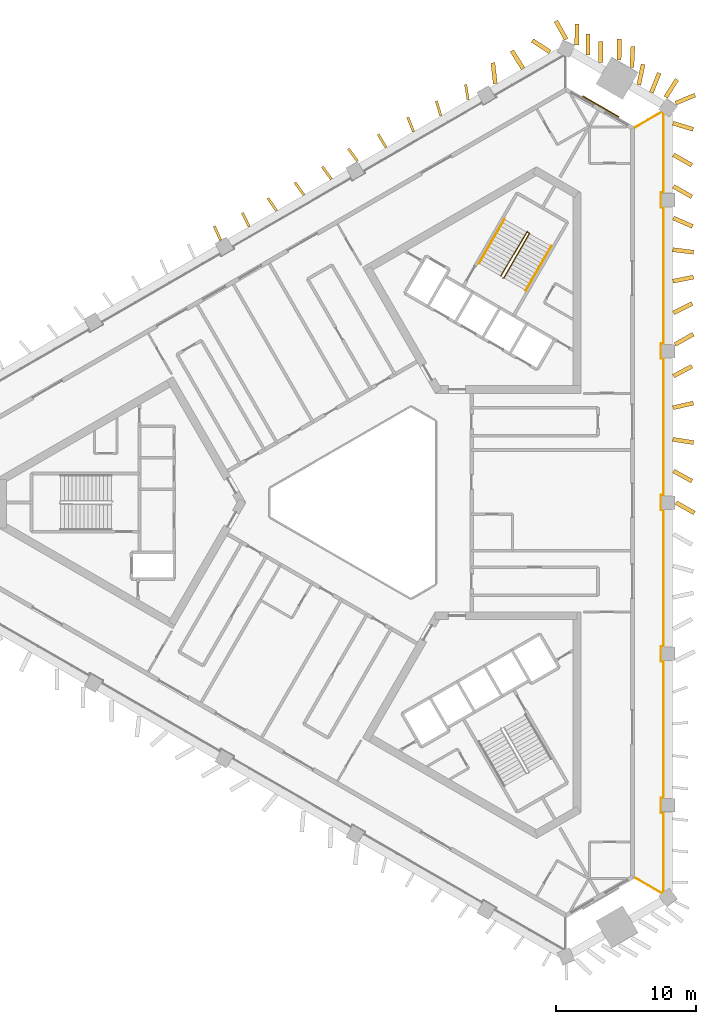
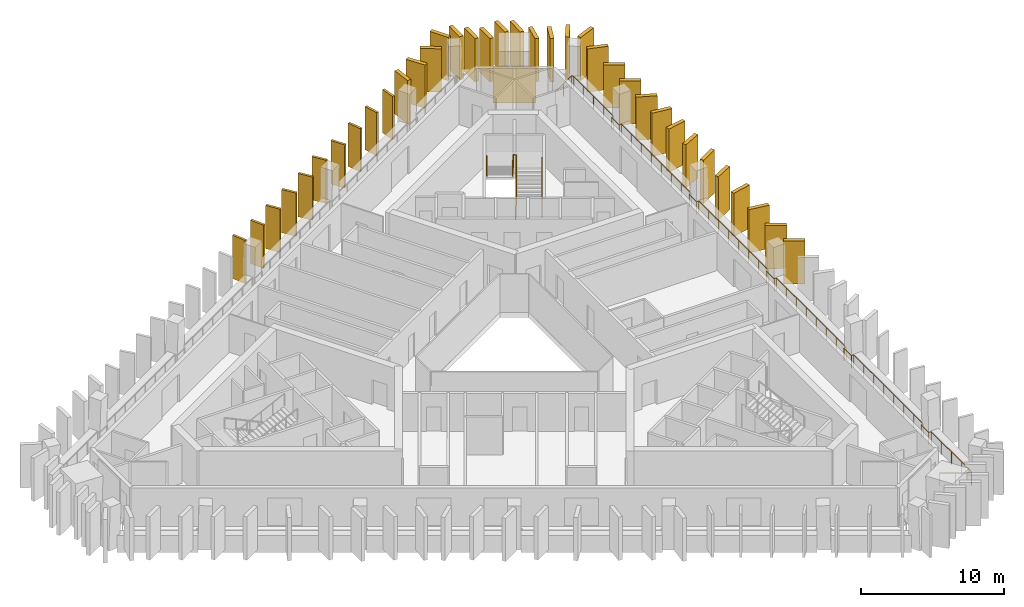
# One storey, part 10 of 10: 36 shading devices, 4 railings, 1 covering.
"""IFC4 building model written with IfcOpenShell, lengths in metres."""

from ifc_helpers import new_model, si_unit, direction, frame, frame_2d, origin, origin_2d, place, context, subcontext, project, spatial, rectangle, circle, extrude, material, layer, layer_set, type_object, element, save


model = new_model("IFC4")

# Units and contexts
model_context = context("Model", 3, precision=1e-05, world=origin(), true_north=direction((0.0, 1.0)))
body_context = subcontext(model_context, "Body", "Model", "MODEL_VIEW")
ifc_project = project(units=[si_unit("LENGTHUNIT", "METRE"), si_unit("AREAUNIT", "SQUARE_METRE"), si_unit("VOLUMEUNIT", "CUBIC_METRE"), si_unit("PLANEANGLEUNIT", "RADIAN"), si_unit("MASSUNIT", "GRAM", prefix="KILO")], contexts=[model_context])

# Site, building, storey
site_placement = place(None, origin())
site = spatial("IfcSite", under=ifc_project, at=site_placement, CompositionType="ELEMENT")
building_placement = place(site_placement, origin())
building = spatial("IfcBuilding", under=site, at=building_placement, Name="Jabali Bay Hotel Tower and Convention Centre", CompositionType="ELEMENT")
storey_placement = place(building_placement, frame((0.0, 0.0, 174.800048828125)))
storey = spatial("IfcBuildingStorey", under=building, at=storey_placement, Name="L42", CompositionType="ELEMENT", Elevation=174.800048828125)

# Railing
ifc_material_1 = material(Name="Glass", Category="glass")
railing_type_1 = type_object("IfcRailingType", Name="Loggia glass guard 1100", PredefinedType="BALUSTRADE", material=ifc_material_1)
railing_1_placement = place(storey_placement, frame((93.776611328125, 106.767822265625, 0.0)))
element("IfcRailing", 1, at=railing_1_placement, inside=storey, type_object=railing_type_1, Name="Loggia glass guard L42", PredefinedType="BALUSTRADE", context=body_context, shape_type="SweptSolid", body=[
    extrude(circle(Radius=0.02490234375, at=origin_2d()), frame((0.0, 0.0, 1.0751953125), z_axis=(0.866035418383, 0.499982653806, 0.0), x_axis=(-0.495705232892, 0.858626365323, 0.13052619222)), (0.0, 0.0, 1.0), 2.19287109375),
    extrude(circle(Radius=0.02490234375, at=origin_2d()), frame((1.899169921875, 1.096435546875, 1.0751953125), z_axis=(0.799767562016, -0.600309792313, 0.0), x_axis=(0.595174058821, 0.792925439655, 0.13052619222)), (0.0, 0.0, 1.0), 0.1259765625),
    extrude(circle(Radius=0.02490234375, at=origin_2d()), frame((2.0, 1.020751953125, 1.0751953125), z_axis=(0.0, -1.0, 0.0), x_axis=(0.991444861374, 0.0, 0.13052619222)), (0.0, 0.0, 1.0), 5.671875),
    extrude(circle(Radius=0.02490234375, at=origin_2d()), frame((2.0, -4.651123046875, 1.0751953125), z_axis=(-1.0, 0.0, 0.0), x_axis=(0.0, -0.991444861374, 0.13052619222)), (0.0, 0.0, 1.0), 0.175048828125),
    extrude(circle(Radius=0.02490234375, at=origin_2d()), frame((1.824951171875, -4.651123046875, 1.0751953125), z_axis=(0.0, -1.0, 0.0), x_axis=(0.991444861374, 0.0, 0.13052619222)), (0.0, 0.0, 1.0), 1.050048828125),
    extrude(circle(Radius=0.02490234375, at=origin_2d()), frame((1.824951171875, -5.701171875, 1.0751953125), z_axis=(1.0, 0.0, 0.0), x_axis=(0.0, 0.991444861374, 0.13052619222)), (0.0, 0.0, 1.0), 0.175048828125),
    extrude(circle(Radius=0.02490234375, at=origin_2d()), frame((2.0, -5.701171875, 1.0751953125), z_axis=(0.0, -1.0, 0.0), x_axis=(0.991444861374, 0.0, 0.13052619222)), (0.0, 0.0, 1.0), 9.745849609375),
    extrude(circle(Radius=0.02490234375, at=origin_2d()), frame((2.0, -15.447021484375, 1.0751953125), z_axis=(-1.0, 0.0, 0.0), x_axis=(0.0, -0.991444861374, 0.13052619222)), (0.0, 0.0, 1.0), 0.175048828125),
    extrude(circle(Radius=0.02490234375, at=origin_2d()), frame((1.824951171875, -15.447021484375, 1.0751953125), z_axis=(0.0, -1.0, 0.0), x_axis=(0.991444861374, 0.0, 0.13052619222)), (0.0, 0.0, 1.0), 1.050048828125),
    extrude(circle(Radius=0.02490234375, at=origin_2d()), frame((1.824951171875, -16.4970703125, 1.0751953125), z_axis=(1.0, 0.0, 0.0), x_axis=(0.0, 0.991444861374, 0.13052619222)), (0.0, 0.0, 1.0), 0.175048828125),
    extrude(circle(Radius=0.02490234375, at=origin_2d()), frame((2.0, -16.4970703125, 1.0751953125), z_axis=(0.0, -1.0, 0.0), x_axis=(0.991444861374, 0.0, 0.13052619222)), (0.0, 0.0, 1.0), 9.745849609375),
    extrude(circle(Radius=0.02490234375, at=origin_2d()), frame((2.0, -26.242919921875, 1.0751953125), z_axis=(-1.0, 0.0, 0.0), x_axis=(0.0, -0.991444861374, 0.13052619222)), (0.0, 0.0, 1.0), 0.175048828125),
    extrude(circle(Radius=0.02490234375, at=origin_2d()), frame((1.824951171875, -26.242919921875, 1.0751953125), z_axis=(0.0, -1.0, 0.0), x_axis=(0.991444861374, 0.0, 0.13052619222)), (0.0, 0.0, 1.0), 1.0498046875),
    extrude(circle(Radius=0.02490234375, at=origin_2d()), frame((1.824951171875, -27.292724609375, 1.0751953125), z_axis=(1.0, 0.0, 0.0), x_axis=(0.0, 0.991444861374, 0.13052619222)), (0.0, 0.0, 1.0), 0.175048828125),
    extrude(circle(Radius=0.02490234375, at=origin_2d()), frame((2.0, -27.292724609375, 1.0751953125), z_axis=(0.0, -1.0, 0.0), x_axis=(0.991444861374, 0.0, 0.13052619222)), (0.0, 0.0, 1.0), 9.745849609375),
    extrude(circle(Radius=0.02490234375, at=origin_2d()), frame((2.0, -37.03857421875, 1.0751953125), z_axis=(-1.0, 0.0, 0.0), x_axis=(0.0, -0.991444861374, 0.13052619222)), (0.0, 0.0, 1.0), 0.175048828125),
    extrude(circle(Radius=0.02490234375, at=origin_2d()), frame((1.824951171875, -37.03857421875, 1.0751953125), z_axis=(0.0, -1.0, 0.0), x_axis=(0.991444861374, 0.0, 0.13052619222)), (0.0, 0.0, 1.0), 1.050048828125),
    extrude(circle(Radius=0.02490234375, at=origin_2d()), frame((1.824951171875, -38.088623046875, 1.0751953125), z_axis=(1.0, 0.0, 0.0), x_axis=(0.0, 0.991444861374, 0.13052619222)), (0.0, 0.0, 1.0), 0.175048828125),
    extrude(circle(Radius=0.02490234375, at=origin_2d()), frame((2.0, -38.088623046875, 1.0751953125), z_axis=(0.0, -1.0, 0.0), x_axis=(0.991444861374, 0.0, 0.13052619222)), (0.0, 0.0, 1.0), 9.745849609375),
    extrude(circle(Radius=0.02490234375, at=origin_2d()), frame((2.0, -47.83447265625, 1.0751953125), z_axis=(-1.0, 0.0, 0.0), x_axis=(0.0, -0.991444861374, 0.13052619222)), (0.0, 0.0, 1.0), 0.175048828125),
    extrude(circle(Radius=0.02490234375, at=origin_2d()), frame((1.824951171875, -47.83447265625, 1.0751953125), z_axis=(0.0, -1.0, 0.0), x_axis=(0.991444861374, 0.0, 0.13052619222)), (0.0, 0.0, 1.0), 1.050048828125),
    extrude(circle(Radius=0.02490234375, at=origin_2d()), frame((1.824951171875, -48.884521484375, 1.0751953125), z_axis=(1.0, 0.0, 0.0), x_axis=(0.0, 0.991444861374, 0.13052619222)), (0.0, 0.0, 1.0), 0.175048828125),
    extrude(circle(Radius=0.02490234375, at=origin_2d()), frame((2.0, -48.884521484375, 1.0751953125), z_axis=(0.0, -1.0, 0.0), x_axis=(0.991444861374, 0.0, 0.13052619222)), (0.0, 0.0, 1.0), 5.671875),
    extrude(circle(Radius=0.02490234375, at=origin_2d()), frame((2.0, -54.556396484375, 1.0751953125), z_axis=(-0.799767562016, -0.600309792313, 0.0), x_axis=(0.595174058821, -0.792925439655, 0.13052619222)), (0.0, 0.0, 1.0), 0.1259765625),
    extrude(circle(Radius=0.02490234375, at=origin_2d()), frame((1.899169921875, -54.632080078125, 1.0751953125), z_axis=(-0.866035418383, 0.499982653806, 0.0), x_axis=(-0.495705232892, -0.858626365323, 0.13052619222)), (0.0, 0.0, 1.0), 2.19287109375),
    extrude(circle(Radius=0.02001953125, at=origin_2d()), origin(), (0.0, 0.0, 1.0), 1.050048828125),
    extrude(circle(Radius=0.02001953125, at=origin_2d()), frame((0.94970703125, 0.54833984375, 0.0)), (0.0, 0.0, 1.0), 1.050048828125),
    extrude(circle(Radius=0.02001953125, at=origin_2d()), frame((1.899169921875, 1.096435546875, 0.0)), (0.0, 0.0, 1.0), 1.050048828125),
    extrude(circle(Radius=0.02001953125, at=origin_2d()), frame((2.0, 1.020751953125, 0.0)), (0.0, 0.0, 1.0), 1.050048828125),
    extrude(circle(Radius=0.02001953125, at=origin_2d()), frame((2.0, -0.397216796875, 0.0)), (0.0, 0.0, 1.0), 1.050048828125),
    extrude(circle(Radius=0.02001953125, at=origin_2d()), frame((2.0, -1.815185546875, 0.0)), (0.0, 0.0, 1.0), 1.050048828125),
    extrude(circle(Radius=0.02001953125, at=origin_2d()), frame((2.0, -3.233154296875, 0.0)), (0.0, 0.0, 1.0), 1.050048828125),
    extrude(circle(Radius=0.02001953125, at=origin_2d()), frame((2.0, -4.651123046875, 0.0)), (0.0, 0.0, 1.0), 1.050048828125),
    extrude(circle(Radius=0.02001953125, at=origin_2d()), frame((1.824951171875, -4.651123046875, 0.0)), (0.0, 0.0, 1.0), 1.050048828125),
    extrude(circle(Radius=0.02001953125, at=origin_2d()), frame((1.824951171875, -5.701171875, 0.0)), (0.0, 0.0, 1.0), 1.050048828125),
    extrude(circle(Radius=0.02001953125, at=origin_2d()), frame((2.0, -5.701171875, 0.0)), (0.0, 0.0, 1.0), 1.050048828125),
    extrude(circle(Radius=0.02001953125, at=origin_2d()), frame((2.0, -7.093505859375, 0.0)), (0.0, 0.0, 1.0), 1.050048828125),
    extrude(circle(Radius=0.02001953125, at=origin_2d()), frame((2.0, -8.485595703125, 0.0)), (0.0, 0.0, 1.0), 1.050048828125),
    extrude(circle(Radius=0.02001953125, at=origin_2d()), frame((2.0, -9.8779296875, 0.0)), (0.0, 0.0, 1.0), 1.050048828125),
    extrude(circle(Radius=0.02001953125, at=origin_2d()), frame((2.0, -11.270263671875, 0.0)), (0.0, 0.0, 1.0), 1.050048828125),
    extrude(circle(Radius=0.02001953125, at=origin_2d()), frame((2.0, -12.66259765625, 0.0)), (0.0, 0.0, 1.0), 1.050048828125),
    extrude(circle(Radius=0.02001953125, at=origin_2d()), frame((2.0, -14.0546875, 0.0)), (0.0, 0.0, 1.0), 1.050048828125),
    extrude(circle(Radius=0.02001953125, at=origin_2d()), frame((2.0, -15.447021484375, 0.0)), (0.0, 0.0, 1.0), 1.050048828125),
    extrude(circle(Radius=0.02001953125, at=origin_2d()), frame((1.824951171875, -15.447021484375, 0.0)), (0.0, 0.0, 1.0), 1.050048828125),
    extrude(circle(Radius=0.02001953125, at=origin_2d()), frame((1.824951171875, -16.4970703125, 0.0)), (0.0, 0.0, 1.0), 1.050048828125),
    extrude(circle(Radius=0.02001953125, at=origin_2d()), frame((2.0, -16.4970703125, 0.0)), (0.0, 0.0, 1.0), 1.050048828125),
    extrude(circle(Radius=0.02001953125, at=origin_2d()), frame((2.0, -17.889404296875, 0.0)), (0.0, 0.0, 1.0), 1.050048828125),
    extrude(circle(Radius=0.02001953125, at=origin_2d()), frame((2.0, -19.281494140625, 0.0)), (0.0, 0.0, 1.0), 1.050048828125),
    extrude(circle(Radius=0.02001953125, at=origin_2d()), frame((2.0, -20.673828125, 0.0)), (0.0, 0.0, 1.0), 1.050048828125),
    extrude(circle(Radius=0.02001953125, at=origin_2d()), frame((2.0, -22.066162109375, 0.0)), (0.0, 0.0, 1.0), 1.050048828125),
    extrude(circle(Radius=0.02001953125, at=origin_2d()), frame((2.0, -23.45849609375, 0.0)), (0.0, 0.0, 1.0), 1.050048828125),
    extrude(circle(Radius=0.02001953125, at=origin_2d()), frame((2.0, -24.8505859375, 0.0)), (0.0, 0.0, 1.0), 1.050048828125),
    extrude(circle(Radius=0.02001953125, at=origin_2d()), frame((2.0, -26.242919921875, 0.0)), (0.0, 0.0, 1.0), 1.050048828125),
    extrude(circle(Radius=0.02001953125, at=origin_2d()), frame((1.824951171875, -26.242919921875, 0.0)), (0.0, 0.0, 1.0), 1.050048828125),
    extrude(circle(Radius=0.02001953125, at=origin_2d()), frame((1.824951171875, -27.292724609375, 0.0)), (0.0, 0.0, 1.0), 1.050048828125),
    extrude(circle(Radius=0.02001953125, at=origin_2d()), frame((2.0, -27.292724609375, 0.0)), (0.0, 0.0, 1.0), 1.050048828125),
    extrude(circle(Radius=0.02001953125, at=origin_2d()), frame((2.0, -28.68505859375, 0.0)), (0.0, 0.0, 1.0), 1.050048828125),
    extrude(circle(Radius=0.02001953125, at=origin_2d()), frame((2.0, -30.0771484375, 0.0)), (0.0, 0.0, 1.0), 1.050048828125),
    extrude(circle(Radius=0.02001953125, at=origin_2d()), frame((2.0, -31.469482421875, 0.0)), (0.0, 0.0, 1.0), 1.050048828125),
    extrude(circle(Radius=0.02001953125, at=origin_2d()), frame((2.0, -32.86181640625, 0.0)), (0.0, 0.0, 1.0), 1.050048828125),
    extrude(circle(Radius=0.02001953125, at=origin_2d()), frame((2.0, -34.254150390625, 0.0)), (0.0, 0.0, 1.0), 1.050048828125),
    extrude(circle(Radius=0.02001953125, at=origin_2d()), frame((2.0, -35.646240234375, 0.0)), (0.0, 0.0, 1.0), 1.050048828125),
    extrude(circle(Radius=0.02001953125, at=origin_2d()), frame((2.0, -37.03857421875, 0.0)), (0.0, 0.0, 1.0), 1.050048828125),
    extrude(circle(Radius=0.02001953125, at=origin_2d()), frame((1.824951171875, -37.03857421875, 0.0)), (0.0, 0.0, 1.0), 1.050048828125),
    extrude(circle(Radius=0.02001953125, at=origin_2d()), frame((1.824951171875, -38.088623046875, 0.0)), (0.0, 0.0, 1.0), 1.050048828125),
    extrude(circle(Radius=0.02001953125, at=origin_2d()), frame((2.0, -38.088623046875, 0.0)), (0.0, 0.0, 1.0), 1.050048828125),
    extrude(circle(Radius=0.02001953125, at=origin_2d()), frame((2.0, -39.48095703125, 0.0)), (0.0, 0.0, 1.0), 1.050048828125),
    extrude(circle(Radius=0.02001953125, at=origin_2d()), frame((2.0, -40.873046875, 0.0)), (0.0, 0.0, 1.0), 1.050048828125),
    extrude(circle(Radius=0.02001953125, at=origin_2d()), frame((2.0, -42.265380859375, 0.0)), (0.0, 0.0, 1.0), 1.050048828125),
    extrude(circle(Radius=0.02001953125, at=origin_2d()), frame((2.0, -43.65771484375, 0.0)), (0.0, 0.0, 1.0), 1.050048828125),
    extrude(circle(Radius=0.02001953125, at=origin_2d()), frame((2.0, -45.050048828125, 0.0)), (0.0, 0.0, 1.0), 1.050048828125),
    extrude(circle(Radius=0.02001953125, at=origin_2d()), frame((2.0, -46.442138671875, 0.0)), (0.0, 0.0, 1.0), 1.050048828125),
    extrude(circle(Radius=0.02001953125, at=origin_2d()), frame((2.0, -47.83447265625, 0.0)), (0.0, 0.0, 1.0), 1.050048828125),
    extrude(circle(Radius=0.02001953125, at=origin_2d()), frame((1.824951171875, -47.83447265625, 0.0)), (0.0, 0.0, 1.0), 1.050048828125),
    extrude(circle(Radius=0.02001953125, at=origin_2d()), frame((1.824951171875, -48.884521484375, 0.0)), (0.0, 0.0, 1.0), 1.050048828125),
    extrude(circle(Radius=0.02001953125, at=origin_2d()), frame((2.0, -48.884521484375, 0.0)), (0.0, 0.0, 1.0), 1.050048828125),
    extrude(circle(Radius=0.02001953125, at=origin_2d()), frame((2.0, -50.302490234375, 0.0)), (0.0, 0.0, 1.0), 1.050048828125),
    extrude(circle(Radius=0.02001953125, at=origin_2d()), frame((2.0, -51.720458984375, 0.0)), (0.0, 0.0, 1.0), 1.050048828125),
    extrude(circle(Radius=0.02001953125, at=origin_2d()), frame((2.0, -53.138427734375, 0.0)), (0.0, 0.0, 1.0), 1.050048828125),
    extrude(circle(Radius=0.02001953125, at=origin_2d()), frame((2.0, -54.556396484375, 0.0)), (0.0, 0.0, 1.0), 1.050048828125),
    extrude(circle(Radius=0.02001953125, at=origin_2d()), frame((1.899169921875, -54.632080078125, 0.0)), (0.0, 0.0, 1.0), 1.050048828125),
    extrude(circle(Radius=0.02001953125, at=origin_2d()), frame((0.94970703125, -54.083984375, 0.0)), (0.0, 0.0, 1.0), 1.050048828125),
    extrude(circle(Radius=0.02001953125, at=origin_2d()), frame((0.0, -53.53564453125, 0.0)), (0.0, 0.0, 1.0), 1.050048828125),
])

# Shading devices
ifc_material_2 = material(Name="Precast concrete C60", Category="concrete")
ifc_layer_1 = layer(ifc_material_2, 0.179931640625)
ifc_layer_set_1 = layer_set([ifc_layer_1], Name="Precast concrete C60")
shading_device_type_1 = type_object("IfcShadingDeviceType", Name="Precast fin 3680 x 1100", PredefinedType="USERDEFINED", material=ifc_layer_set_1)
for number, where, z_axis, x_axis, name in (
    (2, (81.847412109375, 108.722900390625, 0.010009765625), (0.0, 0.0, 1.0), (-0.159358042506, 0.987220853856, 0.0), "Fin L42 036"),
    (3, (79.900634765625, 107.58544921875, 0.010009765625), (0.0, 0.0, 1.0), (-0.290075152421, 0.957003869349, 0.0), "Fin L42 037"),
    (4, (77.951904296875, 106.45166015625, 0.010009765625), (0.0, 0.0, 1.0), (-0.371275886157, 0.928522598733, 0.0), "Fin L42 038"),
    (5, (76.0048828125, 105.314697265625, 0.010009765625), (0.0, 0.0, 1.0), (-0.516224508474, 0.856453301033, 0.0), "Fin L42 039"),
    (6, (73.95703125, 104.352294921875, 0.010009765625), (0.0, 0.0, 1.0), (-0.591228956285, 0.806503763941, 0.0), "Fin L42 040"),
):
    element("IfcShadingDevice", number, at=place(storey_placement, frame(where, z_axis=z_axis, x_axis=x_axis)), inside=storey, type_object=shading_device_type_1, Name=name, ObjectType="FIN", PredefinedType="USERDEFINED", context=body_context, shape_type="SweptSolid", body=[
        extrude(rectangle(XDim=1.10009765625, YDim=0.179931640625, at=frame_2d((0.550048828125, 0.0))), origin(), (0.0, 0.0, 1.0), 3.679931640625),
    ])
shading_device_1_placement = place(storey_placement, frame((72.095947265625, 103.06689453125, 0.010009765625), z_axis=(0.0, 0.0, 1.0), x_axis=(-0.588646717653, 0.808390401845, 0.0)))
element("IfcShadingDevice", 7, at=shading_device_1_placement, inside=storey, type_object=shading_device_type_1, Name="Fin L42 041", ObjectType="FIN", PredefinedType="USERDEFINED", context=body_context, shape_type="SweptSolid", body=[
    extrude(rectangle(XDim=1.099853515625, YDim=0.179931640625, at=frame_2d((0.5498046875, 0.0))), origin(), (0.0, 0.0, 1.0), 3.679931640625),
])
shading_device_2_placement = place(storey_placement, frame((70.143310546875, 101.939453125, 0.010009765625), z_axis=(0.0, 0.0, 1.0), x_axis=(-0.587498449283, 0.809225291306, 0.0)))
element("IfcShadingDevice", 8, at=shading_device_2_placement, inside=storey, type_object=shading_device_type_1, Name="Fin L42 042", ObjectType="FIN", PredefinedType="USERDEFINED", context=body_context, shape_type="SweptSolid", body=[
    extrude(rectangle(XDim=1.10009765625, YDim=0.179931640625, at=frame_2d((0.550048828125, 0.0))), origin(), (0.0, 0.0, 1.0), 3.679931640625),
])
for number, where, z_axis, x_axis, name in (
    (9, (68.19189453125, 100.810302734375, 0.010009765625), (0.0, 0.0, 1.0), (-0.56733868641, 0.823484556566, 0.0), "Fin L42 043"),
    (10, (66.239990234375, 99.681884765625, 0.010009765625), (0.0, 0.0, 1.0), (-0.44285742437, 0.896592048638, 0.0), "Fin L42 044"),
    (11, (64.194580078125, 98.715576171875, 0.010009765625), (0.0, 0.0, 1.0), (-0.407538464917, 0.91318804176, 0.0), "Fin L42 045"),
):
    element("IfcShadingDevice", number, at=place(storey_placement, frame(where, z_axis=z_axis, x_axis=x_axis)), inside=storey, type_object=shading_device_type_1, Name=name, ObjectType="FIN", PredefinedType="USERDEFINED", context=body_context, shape_type="SweptSolid", body=[
        extrude(rectangle(XDim=1.099853515625, YDim=0.179931640625, at=frame_2d((0.5498046875, 0.0))), origin(), (0.0, 0.0, 1.0), 3.679931640625),
    ])
ifc_layer_2 = layer(ifc_material_2, 0.300048828125)
ifc_layer_set_2 = layer_set([ifc_layer_2], Name="Precast concrete C60")
shading_device_type_2 = type_object("IfcShadingDeviceType", Name="Precast fin 3680 x 1500", PredefinedType="USERDEFINED", material=ifc_layer_set_2)
for number, where, z_axis, x_axis, name in (
    (12, (96.675537109375, 80.0, 0.010009765625), (0.0, 0.0, 1.0), (0.869831289423, -0.493349296078, 0.0), "Fin L42 012"),
    (13, (96.49169921875, 82.254638671875, 0.010009765625), (0.0, 0.0, 1.0), (0.875031108661, -0.484066688459, 0.0), "Fin L42 013"),
    (14, (96.442138671875, 84.50927734375, 0.010009765625), (0.0, 0.0, 1.0), (0.98810108287, -0.153805884255, 0.0), "Fin L42 014"),
):
    element("IfcShadingDevice", number, at=place(storey_placement, frame(where, z_axis=z_axis, x_axis=x_axis)), inside=storey, type_object=shading_device_type_2, Name=name, ObjectType="FIN", PredefinedType="USERDEFINED", context=body_context, shape_type="SweptSolid", body=[
        extrude(rectangle(XDim=1.5, YDim=0.300048828125, at=frame_2d((0.75, 0.0))), origin(), (0.0, 0.0, 1.0), 3.679931640625),
    ])
shading_device_3_placement = place(storey_placement, frame((96.451904296875, 86.763671875, 0.010009765625), z_axis=(0.0, 0.0, 1.0), x_axis=(0.975640242716, 0.219376655076, 0.0)))
element("IfcShadingDevice", 15, at=shading_device_3_placement, inside=storey, type_object=shading_device_type_2, Name="Fin L42 015", ObjectType="FIN", PredefinedType="USERDEFINED", context=body_context, shape_type="SweptSolid", body=[
    extrude(rectangle(XDim=1.500244140625, YDim=0.300048828125, at=frame_2d((0.75, 0.0))), origin(), (0.0, 0.0, 1.0), 3.679931640625),
])
shading_device_4_placement = place(storey_placement, frame((96.48974609375, 89.018310546875, 0.010009765625), z_axis=(0.0, 0.0, 1.0), x_axis=(0.881956165036, 0.471331436417, 0.0)))
element("IfcShadingDevice", 16, at=shading_device_4_placement, inside=storey, type_object=shading_device_type_2, Name="Fin L42 016", ObjectType="FIN", PredefinedType="USERDEFINED", context=body_context, shape_type="SweptSolid", body=[
    extrude(rectangle(XDim=1.5, YDim=0.300048828125, at=frame_2d((0.75, 0.0))), origin(), (0.0, 0.0, 1.0), 3.679931640625),
])
shading_device_5_placement = place(storey_placement, frame((96.60009765625, 91.27294921875, 0.010009765625), z_axis=(0.0, 0.0, 1.0), x_axis=(0.869870897648, 0.49327945571, 0.0)))
element("IfcShadingDevice", 17, at=shading_device_5_placement, inside=storey, type_object=shading_device_type_2, Name="Fin L42 017", ObjectType="FIN", PredefinedType="USERDEFINED", context=body_context, shape_type="SweptSolid", body=[
    extrude(rectangle(XDim=1.500244140625, YDim=0.300048828125, at=frame_2d((0.75, 0.0))), origin(), (0.0, 0.0, 1.0), 3.679931640625),
])
for number, where, z_axis, x_axis, name in (
    (18, (96.486083984375, 93.527587890625, 0.010009765625), (0.0, 0.0, 1.0), (0.894719976318, 0.446627545028, 0.0), "Fin L42 018"),
    (19, (96.448974609375, 95.7822265625, 0.010009765625), (0.0, 0.0, 1.0), (0.979987815687, 0.199057481911, 0.0), "Fin L42 019"),
    (20, (96.437744140625, 98.036865234375, 0.010009765625), (0.0, 0.0, 1.0), (0.992177393959, -0.124835968039, 0.0), "Fin L42 020"),
    (21, (96.47900390625, 100.291259765625, 0.010009765625), (0.0, 0.0, 1.0), (0.916634808541, -0.399725690656, 0.0), "Fin L42 021"),
    (22, (96.4931640625, 102.5458984375, 0.010009765625), (0.0, 0.0, 1.0), (0.869831289423, -0.493349296078, 0.0), "Fin L42 022"),
    (23, (96.4931640625, 104.800537109375, 0.010009765625), (0.0, 0.0, 1.0), (0.869831289423, -0.493349296078, 0.0), "Fin L42 023"),
    (24, (96.463134765625, 107.05517578125, 0.010009765625), (0.0, 0.0, 1.0), (0.955676901579, -0.294417492329, 0.0), "Fin L42 024"),
    (25, (95.937744140625, 108.906494140625, 0.010009765625), (0.0, 0.0, 1.0), (0.535168243975, 0.844745494596, 0.0), "Fin L42 025"),
    (26, (94.914794921875, 109.2373046875, 0.010009765625), (0.0, 0.0, 1.0), (0.374839776672, 0.927089608304, 0.0), "Fin L42 026"),
):
    element("IfcShadingDevice", number, at=place(storey_placement, frame(where, z_axis=z_axis, x_axis=x_axis)), inside=storey, type_object=shading_device_type_2, Name=name, ObjectType="FIN", PredefinedType="USERDEFINED", context=body_context, shape_type="SweptSolid", body=[
        extrude(rectangle(XDim=1.5, YDim=0.300048828125, at=frame_2d((0.75, 0.0))), origin(), (0.0, 0.0, 1.0), 3.679931640625),
    ])
shading_device_6_placement = place(storey_placement, frame((94.017333984375, 109.78515625, 0.010009765625), z_axis=(0.0, 0.0, 1.0), x_axis=(0.206026884367, 0.978546331513, 0.0)))
element("IfcShadingDevice", 27, at=shading_device_6_placement, inside=storey, type_object=shading_device_type_2, Name="Fin L42 027", ObjectType="FIN", PredefinedType="USERDEFINED", context=body_context, shape_type="SweptSolid", body=[
    extrude(rectangle(XDim=1.500244140625, YDim=0.300048828125, at=frame_2d((0.75, 0.0))), origin(), (0.0, 0.0, 1.0), 3.679931640625),
])
shading_device_7_placement = place(storey_placement, frame((93.524169921875, 111.033447265625, 0.010009765625), z_axis=(0.0, 0.0, 1.0), x_axis=(0.049807724976, 0.998758825009, 0.0)))
element("IfcShadingDevice", 28, at=shading_device_7_placement, inside=storey, type_object=shading_device_type_2, Name="Fin L42 028", ObjectType="FIN", PredefinedType="USERDEFINED", context=body_context, shape_type="SweptSolid", body=[
    extrude(rectangle(XDim=1.5, YDim=0.300048828125, at=frame_2d((0.75, 0.0))), origin(), (0.0, 0.0, 1.0), 3.679931640625),
])
shading_device_8_placement = place(storey_placement, frame((92.616455078125, 111.56396484375, 0.010009765625), z_axis=(0.0, 0.0, 1.0), x_axis=(0.007650760936, 0.9999707325, 0.0)))
element("IfcShadingDevice", 29, at=shading_device_8_placement, inside=storey, type_object=shading_device_type_2, Name="Fin L42 029", ObjectType="FIN", PredefinedType="USERDEFINED", context=body_context, shape_type="SweptSolid", body=[
    extrude(rectangle(XDim=1.499755859375, YDim=0.300048828125, at=frame_2d((0.75, 0.0))), origin(), (0.0, 0.0, 1.0), 3.679931640625),
])
for number, where, z_axis, x_axis, name in (
    (30, (91.2998046875, 111.3857421875, 0.010009765625), (0.0, 0.0, 1.0), (0.007649515767, 0.999970742026, 0.0), "Fin L42 030"),
    (31, (90.389404296875, 111.911376953125, 0.010009765625), (0.0, 0.0, 1.0), (0.007649515767, 0.999970742026, 0.0), "Fin L42 031"),
    (32, (89.598388671875, 112.643798828125, 0.010009765625), (0.0, 0.0, 1.0), (0.007649515767, 0.999970742026, 0.0), "Fin L42 032"),
):
    element("IfcShadingDevice", number, at=place(storey_placement, frame(where, z_axis=z_axis, x_axis=x_axis)), inside=storey, type_object=shading_device_type_2, Name=name, ObjectType="FIN", PredefinedType="USERDEFINED", context=body_context, shape_type="SweptSolid", body=[
        extrude(rectangle(XDim=1.5, YDim=0.300048828125, at=frame_2d((0.75, 0.0))), origin(), (0.0, 0.0, 1.0), 3.679931640625),
    ])
shading_device_9_placement = place(storey_placement, frame((87.686767578125, 112.135986328125, 0.010009765625), z_axis=(0.0, 0.0, 1.0), x_axis=(-0.838651824232, 0.544667896716, 0.0)))
element("IfcShadingDevice", 33, at=shading_device_9_placement, inside=storey, type_object=shading_device_type_2, Name="Fin L42 033", ObjectType="FIN", PredefinedType="USERDEFINED", context=body_context, shape_type="SweptSolid", body=[
    extrude(rectangle(XDim=1.499755859375, YDim=0.300048828125, at=frame_2d((0.75, 0.0))), origin(), (0.0, 0.0, 1.0), 3.679931640625),
])
for number, where, z_axis, x_axis, name in (
    (34, (85.765380859375, 110.954833984375, 0.010009765625), (0.0, 0.0, 1.0), (-0.533870508851, 0.845566248013, 0.0), "Fin L42 034"),
    (35, (83.7861328125, 109.8740234375, 0.010009765625), (0.0, 0.0, 1.0), (-0.115396288642, 0.993319533971, 0.0), "Fin L42 035"),
    (36, (96.6455078125, 108.48193359375, 0.010009765625), (0.0, 0.0, 1.0), (0.922874543743, 0.385100735537, 0.0), "Fin L42 100"),
    (37, (88.843505859375, 113.033203125, 0.010009765625), (0.0, 0.0, 1.0), (-0.492014351651, 0.870587087987, 0.0), "Fin L42 101"),
):
    element("IfcShadingDevice", number, at=place(storey_placement, frame(where, z_axis=z_axis, x_axis=x_axis)), inside=storey, type_object=shading_device_type_2, Name=name, ObjectType="FIN", PredefinedType="USERDEFINED", context=body_context, shape_type="SweptSolid", body=[
        extrude(rectangle(XDim=1.5, YDim=0.300048828125, at=frame_2d((0.75, 0.0))), origin(), (0.0, 0.0, 1.0), 3.679931640625),
    ])

# Covering
ifc_material_3 = material(Name="Precast concrete C40/50", Category="concrete")
ifc_layer_3 = layer(ifc_material_3, 0.080078125)
ifc_layer_set_3 = layer_set([ifc_layer_3], Name="Precast concrete C40/50")
covering_type = type_object("IfcCoveringType", Name="Relief panel 3000 x 3050", PredefinedType="CLADDING", material=ifc_layer_set_3)
covering_placement = place(storey_placement, frame((91.304931640625, 108.2412109375, 0.10009765625), z_axis=(0.0, 0.0, 1.0), x_axis=(0.866025416543, -0.499999977902, 0.0)))
element("IfcCovering", 38, at=covering_placement, inside=storey, type_object=covering_type, Name="Relief panel L42", PredefinedType="CLADDING", context=body_context, shape_type="SweptSolid", body=[
    extrude(rectangle(XDim=3.0, YDim=0.080078125, at=origin_2d()), origin(), (0.0, 0.0, 1.0), 3.050048828125),
])

# Railings
ifc_material_4 = material(Name="Steel Q355B", Category="steel")
railing_type_2 = type_object("IfcRailingType", Name="Stair guard 1100", PredefinedType="GUARDRAIL", material=ifc_material_4)
railing_2_placement = place(storey_placement, frame((84.329833984375, 96.010009765625, 0.0)))
element("IfcRailing", 39, at=railing_2_placement, inside=storey, type_object=railing_type_2, Name="L42 ST2 stair guard 1", PredefinedType="GUARDRAIL", context=body_context, shape_type="SweptSolid", body=[
    extrude(circle(Radius=0.02392578125, at=origin_2d()), frame((0.0, 0.0, 1.076171875), z_axis=(0.456201556387, 0.122196845461, 0.881446578591), x_axis=(-0.258736085224, 0.965948051503, 0.0)), (0.0, 0.0, 1.0), 0.14990234375),
    extrude(circle(Radius=0.02392578125, at=origin_2d()), frame((0.068359375, 0.018310546875, 1.2080078125), z_axis=(0.452190331055, 0.783190014029, 0.426775475427), x_axis=(-0.866018046521, 0.500012742938, 0.0)), (0.0, 0.0, 1.0), 4.02490234375),
    extrude(circle(Radius=0.02392578125, at=origin_2d()), frame((1.888427734375, 3.170654296875, 2.92578125), z_axis=(-0.718850276695, 0.695164929852, 0.0), x_axis=(-0.695164929852, -0.718850276695, 0.0)), (0.0, 0.0, 1.0), 0.2060546875),
    extrude(circle(Radius=0.02392578125, at=origin_2d()), frame((1.740234375, 3.31396484375, 2.92578125), z_axis=(-0.457445338502, -0.768046879266, 0.448160410493), x_axis=(0.859157857954, -0.511710636118, 0.0)), (0.0, 0.0, 1.0), 4.128173828125),
    extrude(circle(Radius=0.02099609375, at=origin_2d()), origin(), (0.0, 0.0, 1.0), 1.052001953125),
    extrude(circle(Radius=0.02099609375, at=origin_2d()), frame((0.068359375, 0.018310546875, 0.132080078125)), (0.0, 0.0, 1.0), 1.052001953125),
    extrude(circle(Radius=0.02099609375, at=origin_2d()), frame((0.5234375, 0.806396484375, 0.5615234375)), (0.0, 0.0, 1.0), 1.052001953125),
    extrude(circle(Radius=0.02099609375, at=origin_2d()), frame((0.978515625, 1.594482421875, 0.990966796875)), (0.0, 0.0, 1.0), 1.052001953125),
    extrude(circle(Radius=0.02099609375, at=origin_2d()), frame((1.433349609375, 2.382568359375, 1.42041015625)), (0.0, 0.0, 1.0), 1.052001953125),
    extrude(circle(Radius=0.02099609375, at=origin_2d()), frame((1.888427734375, 3.170654296875, 1.849853515625)), (0.0, 0.0, 1.0), 1.052001953125),
    extrude(circle(Radius=0.02099609375, at=origin_2d()), frame((1.740234375, 3.31396484375, 1.849853515625)), (0.0, 0.0, 1.0), 1.052001953125),
    extrude(circle(Radius=0.02099609375, at=origin_2d()), frame((1.26806640625, 2.521240234375, 2.3125)), (0.0, 0.0, 1.0), 1.052001953125),
    extrude(circle(Radius=0.02099609375, at=origin_2d()), frame((0.7958984375, 1.728515625, 2.77490234375)), (0.0, 0.0, 1.0), 1.052001953125),
    extrude(circle(Radius=0.02099609375, at=origin_2d()), frame((0.323974609375, 0.93603515625, 3.2373046875)), (0.0, 0.0, 1.0), 1.052001953125),
    extrude(circle(Radius=0.02099609375, at=origin_2d()), frame((-0.148193359375, 0.143310546875, 3.699951171875)), (0.0, 0.0, 1.0), 1.052001953125),
])
railing_type_3 = type_object("IfcRailingType", Name="Stair handrail 900", PredefinedType="HANDRAIL", material=ifc_material_4)
railing_3_placement = place(storey_placement, frame((85.95703125, 95.128173828125, 0.132080078125)))
element("IfcRailing", 40, at=railing_3_placement, inside=storey, type_object=railing_type_3, Name="L42 ST2 stair handrail 1", PredefinedType="HANDRAIL", context=body_context, shape_type="SweptSolid", body=[
    extrude(circle(Radius=0.02392578125, at=origin_2d()), frame((0.0, 0.0, 0.8759765625), z_axis=(0.452190331055, 0.783190014029, 0.426775475427), x_axis=(-0.866018046521, 0.500012742938, 0.0)), (0.0, 0.0, 1.0), 4.02490234375),
    extrude(circle(Radius=0.02099609375, at=origin_2d()), origin(), (0.0, 0.0, 1.0), 0.851806640625),
    extrude(circle(Radius=0.02099609375, at=origin_2d()), frame((0.455078125, 0.7880859375, 0.429443359375)), (0.0, 0.0, 1.0), 0.851806640625),
    extrude(circle(Radius=0.02099609375, at=origin_2d()), frame((0.91015625, 1.576171875, 0.85888671875)), (0.0, 0.0, 1.0), 0.851806640625),
    extrude(circle(Radius=0.02099609375, at=origin_2d()), frame((1.364990234375, 2.3642578125, 1.288330078125)), (0.0, 0.0, 1.0), 0.851806640625),
    extrude(circle(Radius=0.02099609375, at=origin_2d()), frame((1.820068359375, 3.15234375, 1.7177734375)), (0.0, 0.0, 1.0), 0.851806640625),
])
railing_4_placement = place(storey_placement, frame((84.44287109375, 100.20556640625, 1.982177734375)))
element("IfcRailing", 41, at=railing_4_placement, inside=storey, type_object=railing_type_3, Name="L42 ST2 stair handrail 2", PredefinedType="HANDRAIL", context=body_context, shape_type="SweptSolid", body=[
    extrude(circle(Radius=0.02392578125, at=origin_2d()), frame((0.0, 0.0, 0.8759765625), z_axis=(-0.452190331055, -0.783190014029, 0.426775475427), x_axis=(0.866018046521, -0.500012742938, 0.0)), (0.0, 0.0, 1.0), 4.02490234375),
    extrude(circle(Radius=0.02099609375, at=origin_2d()), origin(), (0.0, 0.0, 1.0), 0.851806640625),
    extrude(circle(Radius=0.02099609375, at=origin_2d()), frame((-0.455078125, -0.7880859375, 0.429443359375)), (0.0, 0.0, 1.0), 0.851806640625),
    extrude(circle(Radius=0.02099609375, at=origin_2d()), frame((-0.91015625, -1.576171875, 0.85888671875)), (0.0, 0.0, 1.0), 0.851806640625),
    extrude(circle(Radius=0.02099609375, at=origin_2d()), frame((-1.364990234375, -2.3642578125, 1.288330078125)), (0.0, 0.0, 1.0), 0.851806640625),
    extrude(circle(Radius=0.02099609375, at=origin_2d()), frame((-1.820068359375, -3.15234375, 1.7177734375)), (0.0, 0.0, 1.0), 0.851806640625),
])

save(model, "model.ifc")
